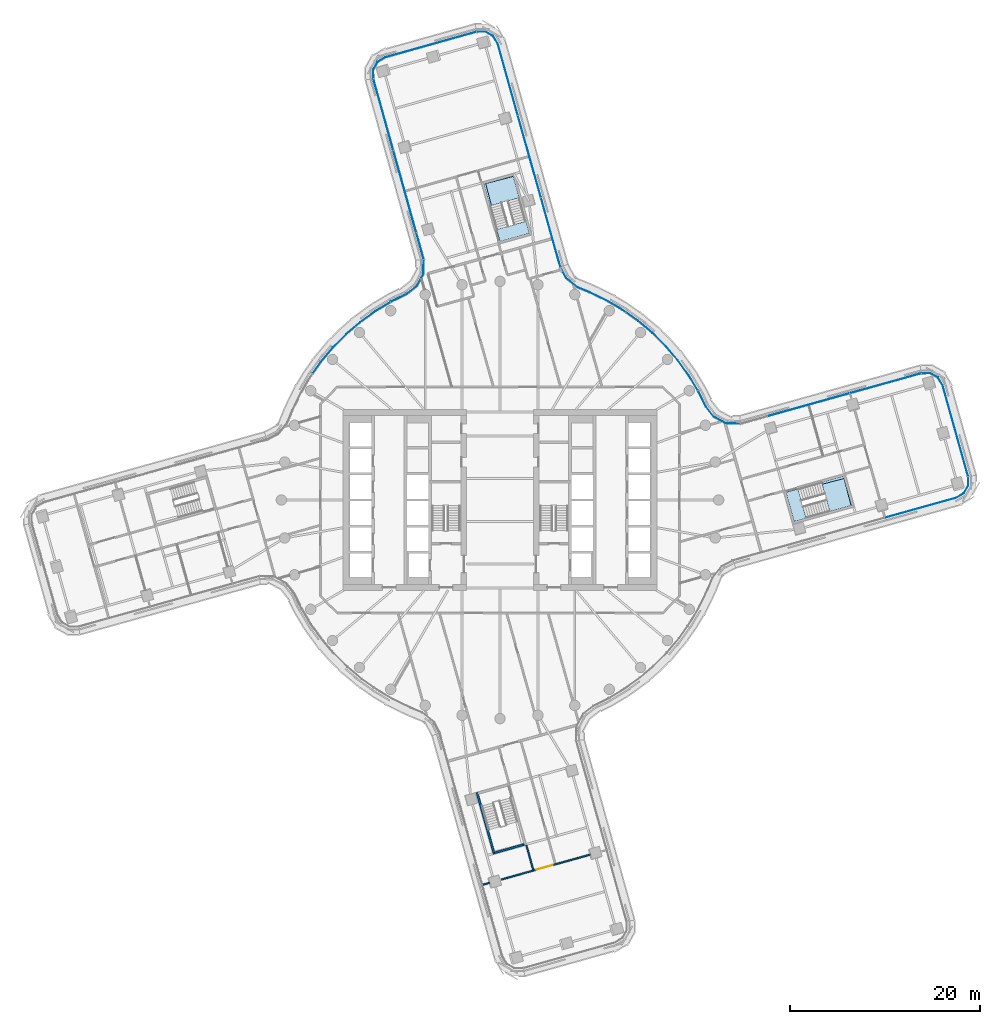
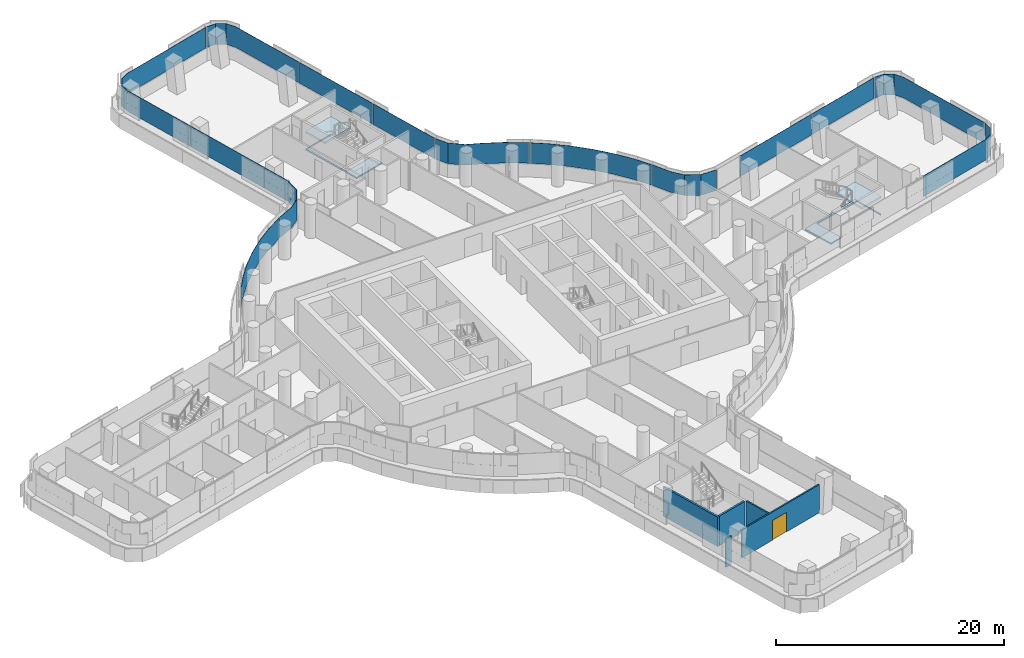
# One storey, part 17 of 30: 16 plates, 5 walls, 4 slabs, 1 door, 1 opening, 10 elements without a shape of their own.
"""IFC4 building model written with IfcOpenShell, lengths in metres."""

from ifc_helpers import new_model, si_unit, direction, frame, frame_2d, origin, place, context, subcontext, project, spatial, polyline, rectangle, outline, extrude, material, layer, layer_set, type_object, element, fill, aggregate, save


model = new_model("IFC4")

# Units and contexts
model_context = context("Model", 3, precision=1e-05, world=origin(), true_north=direction((0.0, 1.0)))
body_context = subcontext(model_context, "Body", "Model", "MODEL_VIEW")
ifc_project = project(units=[si_unit("LENGTHUNIT", "METRE"), si_unit("AREAUNIT", "SQUARE_METRE"), si_unit("VOLUMEUNIT", "CUBIC_METRE"), si_unit("PLANEANGLEUNIT", "RADIAN"), si_unit("MASSUNIT", "GRAM", prefix="KILO")], contexts=[model_context])

# Site, building, storey
site_placement = place(None, origin())
site = spatial("IfcSite", under=ifc_project, at=site_placement, CompositionType="ELEMENT")
building_placement = place(site_placement, origin())
building = spatial("IfcBuilding", under=site, at=building_placement, Name="Tamarind Cross Interchange Tower", CompositionType="ELEMENT")
storey_placement = place(building_placement, frame((0.0, 0.0, 91.0)))
storey = spatial("IfcBuildingStorey", under=building, at=storey_placement, Name="L21", CompositionType="ELEMENT", Elevation=91.0)

# Slabs
ifc_material_1 = material(Name="Concrete C35", Category="concrete")
ifc_layer_1 = layer(ifc_material_1, 0.139892578125)
ifc_layer_set_1 = layer_set([ifc_layer_1], Name="Concrete C35")
slab_type_1 = type_object("IfcSlabType", Name="Composite slab 140 Concrete C35", PredefinedType="FLOOR", material=ifc_layer_set_1)
slab_1_placement = place(storey_placement, frame((0.0, 0.0, -0.139892578125)))
element("IfcSlab", 1, at=slab_1_placement, inside=storey, type_object=slab_type_1, Name="Floor slab L21", PredefinedType="FLOOR", context=body_context, shape_type="SweptSolid", body=[
    extrude(outline(polyline([(-0.002685546875, 27.1923828125), (3.078369140625, 28.056640625), (2.723876953125, 29.31982421875), (-0.24609375, 28.48681640625), (-1.498779296875, 33.287353515625), (1.398681640625, 34.04345703125), (1.37646484375, 34.12255859375), (-1.70458984375, 33.258056640625), (-0.002685546875, 27.1923828125)])), origin(), (0.0, 0.0, 1.0), 0.139892578125),
])
slab_2_placement = place(storey_placement, frame((0.0, 0.0, -0.139892578125)))
element("IfcSlab", 2, at=slab_2_placement, inside=storey, type_object=slab_type_1, Name="Floor slab L21", PredefinedType="FLOOR", context=body_context, shape_type="SweptSolid", body=[
    extrude(outline(polyline([(37.010986328125, -0.566162109375), (36.146484375, 2.514892578125), (30.080810546875, 0.81298828125), (30.9453125, -2.26806640625), (32.20849609375, -1.91357421875), (31.389892578125, 1.00390625), (36.190185546875, 2.256591796875), (36.9326171875, -0.588134765625), (37.010986328125, -0.566162109375)])), origin(), (0.0, 0.0, 1.0), 0.139892578125),
])

# Stair, slab
ifc_material_2 = material(Name="Exit stair")
stair_type = type_object("IfcStairType", Name="Exit stair", PredefinedType="HALF_TURN_STAIR", material=ifc_material_2)
stair_1_placement = place(storey_placement, origin())
stair_1 = element("IfcStair", 3, at=stair_1_placement, inside=storey, type_object=stair_type, Name="L21 exit stair ST3", PredefinedType="HALF_TURN_STAIR")
ifc_material_3 = material(Name="Concrete C40", Category="concrete")
ifc_layer_2 = layer(ifc_material_3, 0.199951171875)
ifc_layer_set_2 = layer_set([ifc_layer_2], Name="Concrete C40")
slab_type_2 = type_object("IfcSlabType", Name="Stair landing", PredefinedType="LANDING", material=ifc_layer_set_2)
slab_3_placement = place(storey_placement, frame((0.0, 0.0, 1.675048828125)))
slab_3 = element("IfcSlab", 4, at=slab_3_placement, type_object=slab_type_2, Name="ST3 landing 1", PredefinedType="LANDING", context=body_context, shape_type="SweptSolid", body=[
    extrude(outline(polyline([(34.688720703125, -1.2177734375), (37.010986328125, -0.566162109375), (36.146484375, 2.514892578125), (33.82421875, 1.86328125), (34.688720703125, -1.2177734375)])), origin(), (0.0, 0.0, 1.0), 0.199951171875),
])
aggregate(stair_1, [slab_3])

stair_2_placement = place(storey_placement, origin())
stair_2 = element("IfcStair", 5, at=stair_2_placement, inside=storey, type_object=stair_type, Name="L21 exit stair ST4", PredefinedType="HALF_TURN_STAIR")
slab_4_placement = place(storey_placement, frame((0.0, 0.0, 1.675048828125)))
slab_4 = element("IfcSlab", 6, at=slab_4_placement, type_object=slab_type_2, Name="ST4 landing 1", PredefinedType="LANDING", context=body_context, shape_type="SweptSolid", body=[
    extrude(outline(polyline([(2.028076171875, 31.80029296875), (1.37646484375, 34.12255859375), (-1.70458984375, 33.258056640625), (-1.052978515625, 30.935791015625), (2.028076171875, 31.80029296875)])), origin(), (0.0, 0.0, 1.0), 0.199951171875),
])
aggregate(stair_2, [slab_4])

# Curtain wall, plate
ifc_material_4 = material(Name="Aluminium 6063-T6", Category="aluminium")
ifc_layer_3 = layer(ifc_material_4, 0.159912109375)
ifc_layer_set_3 = layer_set([ifc_layer_3], Name="Aluminium 6063-T6")
curtain_wall_type = type_object("IfcCurtainWallType", Name="Office curtain wall, 9.0 m bays", PredefinedType="NOTDEFINED", material=ifc_layer_set_3)
curtain_wall_1_placement = place(storey_placement, origin())
curtain_wall_1 = element("IfcCurtainWall", 7, at=curtain_wall_1_placement, inside=storey, type_object=curtain_wall_type, Name="CWS-L21-03", PredefinedType="NOTDEFINED")
ifc_material_5 = material(Name="Laminated low-e glass 8+1.52+8", Category="glass")
ifc_layer_4 = layer(ifc_material_5, 0.028076171875)
ifc_layer_set_4 = layer_set([ifc_layer_4], Name="Laminated low-e glass 8+1.52+8")
plate_type = type_object("IfcPlateType", Name="Vision panel CW1", PredefinedType="CURTAIN_PANEL", material=ifc_layer_set_4)
plate_1_placement = place(storey_placement, frame((0.0, 0.0, 1.39990234375)))
plate_1 = element("IfcPlate", 8, at=plate_1_placement, type_object=plate_type, Name="CWP-L21-03-02", PredefinedType="CURTAIN_PANEL", context=body_context, shape_type="SweptSolid", body=[
    extrude(outline(polyline([(40.4951171875, -1.859130859375), (47.986083984375, 0.24267578125), (48.802978515625, 0.72705078125), (49.25390625, 1.52978515625), (49.242919921875, 2.451171875), (49.27099609375, 2.45166015625), (49.281982421875, 1.5224609375), (48.82373046875, 0.706787109375), (47.9970703125, 0.216552734375), (40.502685546875, -1.885986328125), (40.4951171875, -1.859130859375)])), origin(), (0.0, 0.0, 1.0), 2.210205078125),
])
aggregate(curtain_wall_1, [plate_1])

curtain_wall_2_placement = place(storey_placement, origin())
curtain_wall_2 = element("IfcCurtainWall", 9, at=curtain_wall_2_placement, inside=storey, type_object=curtain_wall_type, Name="CWS-L21-04", PredefinedType="NOTDEFINED")
plate_2_placement = place(storey_placement, frame((0.0, 0.0, 1.39990234375)))
plate_2 = element("IfcPlate", 10, at=plate_2_placement, type_object=plate_type, Name="CWP-L21-04-00", PredefinedType="CURTAIN_PANEL", context=body_context, shape_type="SweptSolid", body=[
    extrude(outline(polyline([(49.235107421875, 2.506591796875), (46.556640625, 12.053466796875), (46.072021484375, 12.870361328125), (45.26953125, 13.3212890625), (44.347900390625, 13.310302734375), (44.347412109375, 13.33837890625), (45.276611328125, 13.349365234375), (46.09228515625, 12.89111328125), (46.58251953125, 12.064453125), (49.261962890625, 2.51416015625), (49.235107421875, 2.506591796875)])), origin(), (0.0, 0.0, 1.0), 2.210205078125),
])
aggregate(curtain_wall_2, [plate_2])

# Curtain wall, plates
curtain_wall_3_placement = place(storey_placement, origin())
curtain_wall_3 = element("IfcCurtainWall", 11, at=curtain_wall_3_placement, inside=storey, type_object=curtain_wall_type, Name="CWS-L21-05", PredefinedType="NOTDEFINED")
plate_3_placement = place(storey_placement, frame((0.0, 0.0, 1.39990234375)))
plate_3 = element("IfcPlate", 12, at=plate_3_placement, type_object=plate_type, Name="CWP-L21-05-00", PredefinedType="CURTAIN_PANEL", context=body_context, shape_type="SweptSolid", body=[
    extrude(outline(polyline([(44.29248046875, 13.302490234375), (36.82275390625, 11.217529296875), (36.815185546875, 11.24462890625), (44.284912109375, 13.329345703125), (44.29248046875, 13.302490234375)])), origin(), (0.0, 0.0, 1.0), 2.210205078125),
])
plate_4_placement = place(storey_placement, frame((0.0, 0.0, 1.39990234375)))
plate_4 = element("IfcPlate", 13, at=plate_4_placement, type_object=plate_type, Name="CWP-L21-05-01", PredefinedType="CURTAIN_PANEL", context=body_context, shape_type="SweptSolid", body=[
    extrude(outline(polyline([(36.764892578125, 11.201416015625), (28.152099609375, 8.797607421875), (28.144775390625, 8.82470703125), (36.75732421875, 11.228515625), (36.764892578125, 11.201416015625)])), origin(), (0.0, 0.0, 1.0), 2.210205078125),
])
aggregate(curtain_wall_3, [plate_3, plate_4])

curtain_wall_4_placement = place(storey_placement, origin())
curtain_wall_4 = element("IfcCurtainWall", 14, at=curtain_wall_4_placement, inside=storey, type_object=curtain_wall_type, Name="CWS-L21-06", PredefinedType="NOTDEFINED")
plate_5_placement = place(storey_placement, frame((0.0, 0.0, 1.39990234375)))
plate_5 = element("IfcPlate", 15, at=plate_5_placement, type_object=plate_type, Name="CWP-L21-06-00", PredefinedType="CURTAIN_PANEL", context=body_context, shape_type="SweptSolid", body=[
    extrude(outline(polyline([(25.285888671875, 8.007568359375), (23.761962890625, 8.05126953125), (22.486328125, 8.744873046875), (21.669189453125, 9.78662109375), (20.866455078125, 11.40869140625), (20.82080078125, 11.48486328125), (20.8447265625, 11.499267578125), (20.89111328125, 11.422119140625), (21.69287109375, 9.8017578125), (22.504638671875, 8.7666015625), (23.76953125, 8.0791015625), (25.286865234375, 8.03564453125), (25.285888671875, 8.007568359375)])), origin(), (0.0, 0.0, 1.0), 2.210205078125),
])
plate_6_placement = place(storey_placement, frame((0.0, 0.0, 1.39990234375)))
plate_6 = element("IfcPlate", 16, at=plate_6_placement, type_object=plate_type, Name="CWP-L21-06-01", PredefinedType="CURTAIN_PANEL", context=body_context, shape_type="SweptSolid", body=[
    extrude(outline(polyline([(20.789794921875, 11.5361328125), (19.85302734375, 13.093017578125), (18.7041015625, 14.687744140625), (17.42724609375, 16.18212890625), (16.031494140625, 17.56591796875), (14.526123046875, 18.829833984375), (13.27685546875, 19.713623046875), (13.293212890625, 19.736572265625), (14.543212890625, 18.85205078125), (16.05029296875, 17.586669921875), (17.44775390625, 16.201171875), (18.72607421875, 14.705078125), (19.87646484375, 13.1083984375), (20.81396484375, 11.550537109375), (20.789794921875, 11.5361328125)])), origin(), (0.0, 0.0, 1.0), 2.210205078125),
])
plate_7_placement = place(storey_placement, frame((0.0, 0.0, 1.39990234375)))
plate_7 = element("IfcPlate", 17, at=plate_7_placement, type_object=plate_type, Name="CWP-L21-06-02", PredefinedType="CURTAIN_PANEL", context=body_context, shape_type="SweptSolid", body=[
    extrude(outline(polyline([(13.22802734375, 19.748291015625), (12.921630859375, 19.965087890625), (11.228759765625, 20.9638671875), (9.45703125, 21.82080078125), (8.17431640625, 22.35009765625), (6.9658203125, 23.315185546875), (6.364990234375, 24.459228515625), (6.3896484375, 24.47216796875), (6.98779296875, 23.33349609375), (8.188720703125, 22.37451171875), (9.46826171875, 21.84619140625), (11.241943359375, 20.98876953125), (12.936767578125, 19.988525390625), (13.244140625, 19.771240234375), (13.22802734375, 19.748291015625)])), origin(), (0.0, 0.0, 1.0), 2.210205078125),
])
aggregate(curtain_wall_4, [plate_5, plate_6, plate_7])

curtain_wall_5_placement = place(storey_placement, origin())
curtain_wall_5 = element("IfcCurtainWall", 18, at=curtain_wall_5_placement, inside=storey, type_object=curtain_wall_type, Name="CWS-L21-07", PredefinedType="NOTDEFINED")
plate_8_placement = place(storey_placement, frame((0.0, 0.0, 1.39990234375)))
plate_8 = element("IfcPlate", 19, at=plate_8_placement, type_object=plate_type, Name="CWP-L21-07-00", PredefinedType="CURTAIN_PANEL", context=body_context, shape_type="SweptSolid", body=[
    extrude(outline(polyline([(6.341796875, 24.517333984375), (4.305908203125, 31.773681640625), (4.332763671875, 31.78125), (6.36865234375, 24.52490234375), (6.341796875, 24.517333984375)])), origin(), (0.0, 0.0, 1.0), 2.210205078125),
])
plate_9_placement = place(storey_placement, frame((0.0, 0.0, 1.39990234375)))
plate_9 = element("IfcPlate", 20, at=plate_9_placement, type_object=plate_type, Name="CWP-L21-07-01", PredefinedType="CURTAIN_PANEL", context=body_context, shape_type="SweptSolid", body=[
    extrude(outline(polyline([(4.289794921875, 31.83154296875), (1.875244140625, 40.437255859375), (1.902099609375, 40.44482421875), (4.316650390625, 31.839111328125), (4.289794921875, 31.83154296875)])), origin(), (0.0, 0.0, 1.0), 2.210205078125),
])
plate_10_placement = place(storey_placement, frame((0.0, 0.0, 1.39990234375)))
plate_10 = element("IfcPlate", 21, at=plate_10_placement, type_object=plate_type, Name="CWP-L21-07-02", PredefinedType="CURTAIN_PANEL", context=body_context, shape_type="SweptSolid", body=[
    extrude(outline(polyline([(1.859130859375, 40.4951171875), (-0.24267578125, 47.986083984375), (-0.72705078125, 48.802978515625), (-1.52978515625, 49.25390625), (-2.451171875, 49.242919921875), (-2.45166015625, 49.27099609375), (-1.5224609375, 49.281982421875), (-0.706787109375, 48.82373046875), (-0.216552734375, 47.9970703125), (1.885986328125, 40.502685546875), (1.859130859375, 40.4951171875)])), origin(), (0.0, 0.0, 1.0), 2.210205078125),
])
aggregate(curtain_wall_5, [plate_8, plate_9, plate_10])

# Curtain wall, plate
curtain_wall_6_placement = place(storey_placement, origin())
curtain_wall_6 = element("IfcCurtainWall", 22, at=curtain_wall_6_placement, inside=storey, type_object=curtain_wall_type, Name="CWS-L21-08", PredefinedType="NOTDEFINED")
plate_11_placement = place(storey_placement, frame((0.0, 0.0, 1.39990234375)))
plate_11 = element("IfcPlate", 23, at=plate_11_placement, type_object=plate_type, Name="CWP-L21-08-00", PredefinedType="CURTAIN_PANEL", context=body_context, shape_type="SweptSolid", body=[
    extrude(outline(polyline([(-2.506591796875, 49.235107421875), (-12.053466796875, 46.556640625), (-12.870361328125, 46.072021484375), (-13.3212890625, 45.26953125), (-13.310302734375, 44.347900390625), (-13.33837890625, 44.347412109375), (-13.349365234375, 45.276611328125), (-12.89111328125, 46.09228515625), (-12.064453125, 46.58251953125), (-2.51416015625, 49.261962890625), (-2.506591796875, 49.235107421875)])), origin(), (0.0, 0.0, 1.0), 2.210205078125),
])
aggregate(curtain_wall_6, [plate_11])

# Curtain wall, plates
curtain_wall_7_placement = place(storey_placement, origin())
curtain_wall_7 = element("IfcCurtainWall", 24, at=curtain_wall_7_placement, inside=storey, type_object=curtain_wall_type, Name="CWS-L21-09", PredefinedType="NOTDEFINED")
plate_12_placement = place(storey_placement, frame((0.0, 0.0, 1.39990234375)))
plate_12 = element("IfcPlate", 25, at=plate_12_placement, type_object=plate_type, Name="CWP-L21-09-00", PredefinedType="CURTAIN_PANEL", context=body_context, shape_type="SweptSolid", body=[
    extrude(outline(polyline([(-13.302490234375, 44.29248046875), (-11.217529296875, 36.82275390625), (-11.24462890625, 36.815185546875), (-13.329345703125, 44.284912109375), (-13.302490234375, 44.29248046875)])), origin(), (0.0, 0.0, 1.0), 2.210205078125),
])
plate_13_placement = place(storey_placement, frame((0.0, 0.0, 1.39990234375)))
plate_13 = element("IfcPlate", 26, at=plate_13_placement, type_object=plate_type, Name="CWP-L21-09-01", PredefinedType="CURTAIN_PANEL", context=body_context, shape_type="SweptSolid", body=[
    extrude(outline(polyline([(-11.201416015625, 36.764892578125), (-8.797607421875, 28.152099609375), (-8.82470703125, 28.144775390625), (-11.228515625, 36.75732421875), (-11.201416015625, 36.764892578125)])), origin(), (0.0, 0.0, 1.0), 2.210205078125),
])
plate_14_placement = place(storey_placement, frame((0.0, 0.0, 1.39990234375)))
plate_14 = element("IfcPlate", 27, at=plate_14_placement, type_object=plate_type, Name="CWP-L21-09-02", PredefinedType="CURTAIN_PANEL", context=body_context, shape_type="SweptSolid", body=[
    extrude(outline(polyline([(-8.781494140625, 28.094482421875), (-8.01513671875, 25.34912109375), (-8.042236328125, 25.341552734375), (-8.80859375, 28.0869140625), (-8.781494140625, 28.094482421875)])), origin(), (0.0, 0.0, 1.0), 2.210205078125),
])
aggregate(curtain_wall_7, [plate_12, plate_13, plate_14])

curtain_wall_8_placement = place(storey_placement, origin())
curtain_wall_8 = element("IfcCurtainWall", 28, at=curtain_wall_8_placement, inside=storey, type_object=curtain_wall_type, Name="CWS-L21-10", PredefinedType="NOTDEFINED")
plate_15_placement = place(storey_placement, frame((0.0, 0.0, 1.39990234375)))
plate_15 = element("IfcPlate", 29, at=plate_15_placement, type_object=plate_type, Name="CWP-L21-10-00", PredefinedType="CURTAIN_PANEL", context=body_context, shape_type="SweptSolid", body=[
    extrude(outline(polyline([(-8.007568359375, 25.285888671875), (-8.05126953125, 23.761962890625), (-8.744873046875, 22.486328125), (-9.78662109375, 21.669189453125), (-11.40869140625, 20.866455078125), (-11.48486328125, 20.82080078125), (-11.499267578125, 20.8447265625), (-11.422119140625, 20.89111328125), (-9.8017578125, 21.69287109375), (-8.7666015625, 22.504638671875), (-8.0791015625, 23.76953125), (-8.03564453125, 25.286865234375), (-8.007568359375, 25.285888671875)])), origin(), (0.0, 0.0, 1.0), 2.210205078125),
])
plate_16_placement = place(storey_placement, frame((0.0, 0.0, 1.39990234375)))
plate_16 = element("IfcPlate", 30, at=plate_16_placement, type_object=plate_type, Name="CWP-L21-10-01", PredefinedType="CURTAIN_PANEL", context=body_context, shape_type="SweptSolid", body=[
    extrude(outline(polyline([(-11.5361328125, 20.789794921875), (-13.093017578125, 19.85302734375), (-14.687744140625, 18.7041015625), (-16.18212890625, 17.42724609375), (-17.56591796875, 16.031494140625), (-18.829833984375, 14.526123046875), (-19.713623046875, 13.27685546875), (-19.736572265625, 13.293212890625), (-18.85205078125, 14.543212890625), (-17.586669921875, 16.05029296875), (-16.201171875, 17.44775390625), (-14.705078125, 18.72607421875), (-13.1083984375, 19.87646484375), (-11.550537109375, 20.81396484375), (-11.5361328125, 20.789794921875)])), origin(), (0.0, 0.0, 1.0), 2.210205078125),
])
aggregate(curtain_wall_8, [plate_15, plate_16])

# Walls
ifc_material_6 = material(Name="Gypsum board partition on steel studs", Category="steel")
ifc_layer_5 = layer(ifc_material_6, 0.14990234375)
ifc_layer_set_5 = layer_set([ifc_layer_5], Name="Gypsum board partition on steel studs")
wall_type_1 = type_object("IfcWallType", Name="Partition 150 mm EI 120", PredefinedType="PARTITIONING", material=ifc_layer_set_5)
wall_1_placement = place(storey_placement, frame((2.772216796875, -36.32373046875, 0.0), z_axis=(0.0, 0.0, 1.0), x_axis=(0.270166180953, -0.962813707146, 0.0)))
element("IfcWall", 31, at=wall_1_placement, inside=storey, type_object=wall_type_1, Name="Partition L21-022", PredefinedType="PARTITIONING", context=body_context, shape_type="SweptSolid", body=[
    extrude(rectangle(XDim=2.684814453125, YDim=0.14990234375, at=frame_2d((1.34228515625, 0.0))), origin(), (0.0, 0.0, 1.0), 3.010009765625),
])
wall_2_placement = place(storey_placement, frame((-1.776611328125, -40.466552734375, 0.0), z_axis=(0.0, 0.0, 1.0), x_axis=(0.962835433635, 0.270088740484, 0.0)))
element("IfcWall", 32, at=wall_2_placement, inside=storey, type_object=wall_type_1, Name="Partition L21-059", PredefinedType="PARTITIONING", context=body_context, shape_type="SweptSolid", body=[
    extrude(rectangle(XDim=0.71044921875, YDim=0.14990234375, at=frame_2d((0.355224609375, 0.0))), origin(), (0.0, 0.0, 1.0), 3.010009765625),
])

# Wall, opening, door
wall_3_placement = place(storey_placement, frame((0.15380859375, -39.925048828125, 0.0), z_axis=(0.0, 0.0, 1.0), x_axis=(0.962812046226, 0.270172100044, 0.0)))
wall_3 = element("IfcWall", 33, at=wall_3_placement, inside=storey, type_object=wall_type_1, Name="Partition L21-060", PredefinedType="PARTITIONING", context=body_context, shape_type="SweptSolid", body=[
    extrude(rectangle(XDim=9.703369140625, YDim=0.14990234375, at=frame_2d((4.8515625, 0.0))), origin(), (0.0, 0.0, 1.0), 3.010009765625),
])
opening_placement = place(wall_3_placement, frame((3.794189453125, 0.0, 0.0)))
opening = element("IfcOpeningElement", 34, at=opening_placement, cuts=wall_3, Name="Opening D32", PredefinedType="OPENING", context=body_context, shape_type="SweptSolid", body=[
    extrude(rectangle(XDim=1.800048828125, YDim=2.10009765625, at=frame_2d((0.89990234375, 1.050048828125))), frame((0.0, 0.0849609375, 0.0), z_axis=(0.0, -1.0, 0.0), x_axis=(1.0, 0.0, 0.0)), (0.0, 0.0, 1.0), 0.169921875),
])
ifc_material_7 = material(Name="Fire-resisting door set")
door_type = type_object("IfcDoorType", Name="Interior door 1800 x 2100 FD60S", OperationType="DOUBLE_DOOR_SINGLE_SWING", PredefinedType="DOOR", material=ifc_material_7)
door_placement = place(opening_placement, origin())
door = element("IfcDoor", 35, at=door_placement, inside=storey, type_object=door_type, Name="Door D32", OperationType="DOUBLE_DOOR_SINGLE_SWING", OverallHeight=2.10009765625, OverallWidth=1.800048828125, PredefinedType="DOOR", context=body_context, shape_type="SweptSolid", body=[
    extrude(rectangle(XDim=1.800048828125, YDim=2.10009765625, at=frame_2d((0.89990234375, 1.050048828125))), frame((0.0, 0.02490234375, 0.0), z_axis=(0.0, -1.0, 0.0), x_axis=(1.0, 0.0, 0.0)), (0.0, 0.0, 1.0), 0.050048828125),
])
fill(opening, door)

# Walls
ifc_layer_6 = layer(ifc_material_3, 0.199951171875)
ifc_layer_set_6 = layer_set([ifc_layer_6], Name="Concrete C40")
wall_type_2 = type_object("IfcWallType", Name="Stair shaft wall 200 mm Concrete C40", PredefinedType="SHEAR", material=ifc_layer_set_6)
wall_4_placement = place(storey_placement, frame((-2.418212890625, -30.779541015625, -0.139892578125), z_axis=(0.0, 0.0, 1.0), x_axis=(0.270112393364, -0.96282879836, 0.0)))
element("IfcWall", 36, at=wall_4_placement, inside=storey, type_object=wall_type_2, Name="Core wall CWL-L21-ST6-C", PredefinedType="SHEAR", context=body_context, shape_type="SweptSolid", body=[
    extrude(rectangle(XDim=6.7001953125, YDim=0.199951171875, at=frame_2d((3.35009765625, 0.0))), origin(), (0.0, 0.0, 1.0), 3.14990234375),
])
wall_5_placement = place(storey_placement, frame((0.0, 0.0, -0.139892578125)))
element("IfcWall", 37, at=wall_5_placement, inside=storey, type_object=wall_type_2, Name="Core wall CWL-L21-ST6-CF", PredefinedType="SHEAR", context=body_context, shape_type="SweptSolid", body=[
    extrude(outline(polyline([(-0.566162109375, -37.010986328125), (-0.51220703125, -37.20361328125), (2.56884765625, -36.339111328125), (2.514892578125, -36.146484375), (-0.566162109375, -37.010986328125)])), origin(), (0.0, 0.0, 1.0), 3.14990234375),
])

save(model, "model.ifc")
